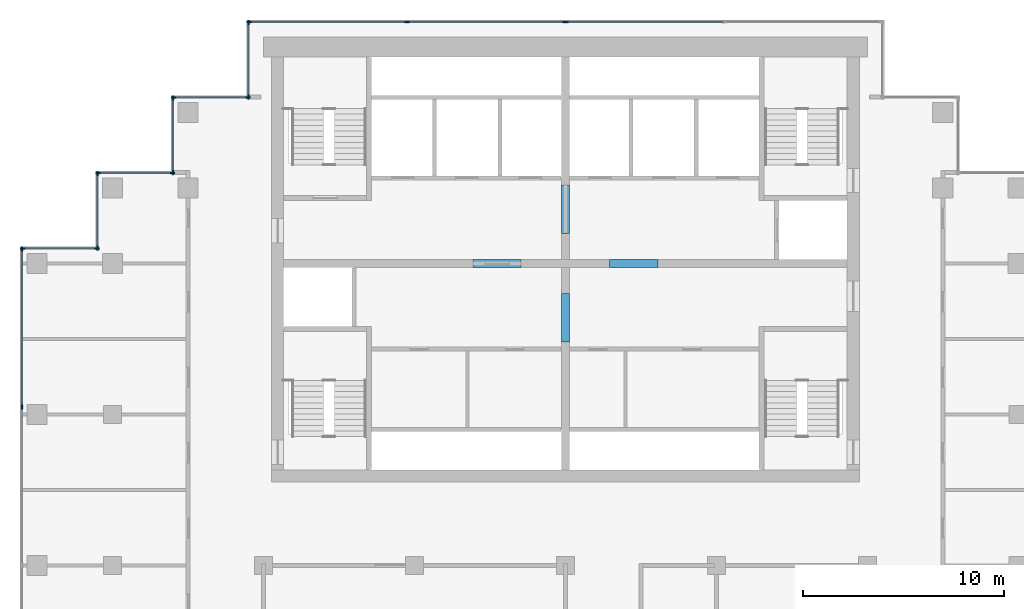
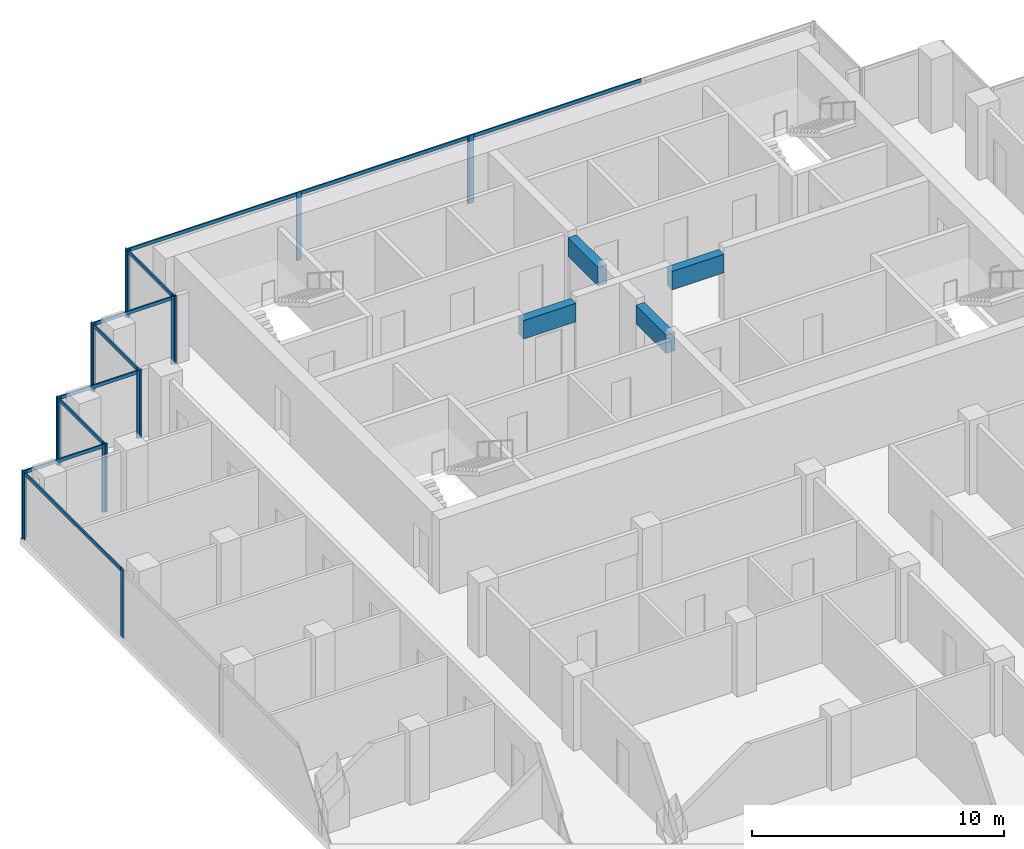
# One storey, part 5 of 12: 28 members, 4 beams, 9 elements without a shape of their own.
"""IFC4 building model written with IfcOpenShell, lengths in metres."""

from ifc_helpers import new_model, si_unit, direction, frame, origin, origin_2d, place, context, subcontext, project, spatial, rectangle, extrude, material, material_profile, profile_set, type_object, element, aggregate, save


model = new_model("IFC4")

# Units and contexts
model_context = context("Model", 3, precision=1e-05, world=origin(), true_north=direction((0.0, 1.0)))
body_context = subcontext(model_context, "Body", "Model", "MODEL_VIEW")
ifc_project = project(units=[si_unit("LENGTHUNIT", "METRE"), si_unit("AREAUNIT", "SQUARE_METRE"), si_unit("VOLUMEUNIT", "CUBIC_METRE"), si_unit("PLANEANGLEUNIT", "RADIAN"), si_unit("MASSUNIT", "GRAM", prefix="KILO")], contexts=[model_context])

# Site, building, storey
site_placement = place(None, origin())
site = spatial("IfcSite", under=ifc_project, at=site_placement, CompositionType="ELEMENT")
building_placement = place(site_placement, origin())
building = spatial("IfcBuilding", under=site, at=building_placement, Name="Pilkhan Gate Tower", CompositionType="ELEMENT")
storey_placement = place(building_placement, frame((0.0, 0.0, 188.699951171875)))
storey = spatial("IfcBuildingStorey", under=building, at=storey_placement, Name="L48", CompositionType="ELEMENT", Elevation=188.699951171875)

# Beams
ifc_material_1 = material(Name="Concrete C50/60", Category="concrete")
ifc_material_profile_1 = material_profile(ifc_material_1, rectangle(XDim=0.39990234375, YDim=0.89990234375, at=origin_2d()), Name="RC 400x900")
ifc_profile_set_1 = profile_set([ifc_material_profile_1], Name="Concrete C50/60")
beam_type = type_object("IfcBeamType", Name="Coupling beam CB90-4 RC 400x900 C50/60", PredefinedType="LINTEL", material=ifc_profile_set_1)
for number, where, z_axis, x_axis, name in (
    (1, (70.39990234375, 82.5, 2.85009765625), (1.0, 0.0, 0.0), (0.0, 1.0, 0.0), "Coupling beam 1 L48"),
    (2, (77.199951171875, 82.5, 2.85009765625), (1.0, 0.0, 0.0), (0.0, 1.0, 0.0), "Coupling beam 2 L48"),
):
    element("IfcBeam", number, at=place(storey_placement, frame(where, z_axis=z_axis, x_axis=x_axis)), inside=storey, type_object=beam_type, Name=name, PredefinedType="LINTEL", context=body_context, shape_type="SweptSolid", body=[
        extrude(rectangle(XDim=0.39990234375, YDim=0.89990234375, at=origin_2d()), origin(), (0.0, 0.0, 1.0), 2.400146484375),
    ])
for number, where, z_axis, x_axis, name in (
    (3, (75.0, 78.60009765625, 2.85009765625), (0.0, 1.0, 0.0), (-1.0, 0.0, 0.0), "Coupling beam 3 L48"),
    (4, (75.0, 84.0, 2.85009765625), (0.0, 1.0, 0.0), (-1.0, 0.0, 0.0), "Coupling beam 4 L48"),
):
    element("IfcBeam", number, at=place(storey_placement, frame(where, z_axis=z_axis, x_axis=x_axis)), inside=storey, type_object=beam_type, Name=name, PredefinedType="LINTEL", context=body_context, shape_type="SweptSolid", body=[
        extrude(rectangle(XDim=0.39990234375, YDim=0.89990234375, at=origin_2d()), origin(), (0.0, 0.0, 1.0), 2.39990234375),
    ])

# Curtain wall, members
ifc_material_2 = material(Name="Pale anodised aluminium, clear low-iron double glazing", Category="aluminium")
curtain_wall_type = type_object("IfcCurtainWallType", Name="Office unitised curtain wall CW-O2", PredefinedType="USERDEFINED", material=ifc_material_2)
curtain_wall_1_placement = place(storey_placement, origin())
curtain_wall_1 = element("IfcCurtainWall", 5, at=curtain_wall_1_placement, inside=storey, type_object=curtain_wall_type, Name="Office unitised curtain wall CW-O2 L48 N", ObjectType="UNITISED CURTAIN WALL", PredefinedType="USERDEFINED")
ifc_material_3 = material(Name="Pale anodised aluminium", Category="aluminium")
ifc_material_profile_2 = material_profile(ifc_material_3, rectangle(XDim=0.06494140625, YDim=0.22509765625, at=origin_2d()), Name="Mullion 225x65")
ifc_profile_set_2 = profile_set([ifc_material_profile_2], Name="Pale anodised aluminium")
member_type_1 = type_object("IfcMemberType", Name="Mullion CW-O2 225x65", PredefinedType="MULLION", material=ifc_profile_set_2)
member_1_placement = place(storey_placement, frame((59.282470703125, 94.5, 0.0), z_axis=(0.0, 0.0, 1.0), x_axis=(0.0, 1.0, 0.0)))
member_1 = element("IfcMember", 6, at=member_1_placement, type_object=member_type_1, Name="CW-O2 mullion 1", PredefinedType="MULLION", context=body_context, shape_type="SweptSolid", body=[
    extrude(rectangle(XDim=0.06494140625, YDim=0.22509765625, at=origin_2d()), origin(), (0.0, 0.0, 1.0), 3.300048828125),
])
member_2_placement = place(storey_placement, frame((67.125, 94.5, 0.0), z_axis=(0.0, 0.0, 1.0), x_axis=(0.0, 1.0, 0.0)))
member_2 = element("IfcMember", 7, at=member_2_placement, type_object=member_type_1, Name="CW-O2 mullion 2", PredefinedType="MULLION", context=body_context, shape_type="SweptSolid", body=[
    extrude(rectangle(XDim=0.06494140625, YDim=0.22509765625, at=origin_2d()), origin(), (0.0, 0.0, 1.0), 3.300048828125),
])
member_3_placement = place(storey_placement, frame((74.967529296875, 94.5, 0.0), z_axis=(0.0, 0.0, 1.0), x_axis=(0.0, 1.0, 0.0)))
member_3 = element("IfcMember", 8, at=member_3_placement, type_object=member_type_1, Name="CW-O2 mullion 3", PredefinedType="MULLION", context=body_context, shape_type="SweptSolid", body=[
    extrude(rectangle(XDim=0.06494140625, YDim=0.22509765625, at=origin_2d()), origin(), (0.0, 0.0, 1.0), 3.300048828125),
])

# Curtain wall, member
curtain_wall_2_placement = place(storey_placement, origin())
curtain_wall_2 = element("IfcCurtainWall", 9, at=curtain_wall_2_placement, inside=storey, type_object=curtain_wall_type, Name="Office unitised curtain wall CW-O2 L48 N", ObjectType="UNITISED CURTAIN WALL", PredefinedType="USERDEFINED")
member_4_placement = place(storey_placement, frame((75.032470703125, 94.5, 0.0), z_axis=(0.0, 0.0, 1.0), x_axis=(0.0, 1.0, 0.0)))
member_4 = element("IfcMember", 10, at=member_4_placement, type_object=member_type_1, Name="CW-O2 mullion 1", PredefinedType="MULLION", context=body_context, shape_type="SweptSolid", body=[
    extrude(rectangle(XDim=0.06494140625, YDim=0.22509765625, at=origin_2d()), origin(), (0.0, 0.0, 1.0), 3.300048828125),
])

# Curtain wall, members
curtain_wall_3_placement = place(storey_placement, origin())
curtain_wall_3 = element("IfcCurtainWall", 11, at=curtain_wall_3_placement, inside=storey, type_object=curtain_wall_type, Name="Office unitised curtain wall CW-O2 L48 W", ObjectType="UNITISED CURTAIN WALL", PredefinedType="USERDEFINED")
member_5_placement = place(storey_placement, frame((59.25, 90.782470703125, 0.0), z_axis=(0.0, 0.0, 1.0), x_axis=(-1.0, 0.0, 0.0)))
member_5 = element("IfcMember", 12, at=member_5_placement, type_object=member_type_1, Name="CW-O2 mullion 1", PredefinedType="MULLION", context=body_context, shape_type="SweptSolid", body=[
    extrude(rectangle(XDim=0.06494140625, YDim=0.22509765625, at=origin_2d()), origin(), (0.0, 0.0, 1.0), 3.300048828125),
])
member_6_placement = place(storey_placement, frame((59.25, 94.467529296875, 0.0), z_axis=(0.0, 0.0, 1.0), x_axis=(-1.0, 0.0, 0.0)))
member_6 = element("IfcMember", 13, at=member_6_placement, type_object=member_type_1, Name="CW-O2 mullion 2", PredefinedType="MULLION", context=body_context, shape_type="SweptSolid", body=[
    extrude(rectangle(XDim=0.06494140625, YDim=0.22509765625, at=origin_2d()), origin(), (0.0, 0.0, 1.0), 3.300048828125),
])

curtain_wall_4_placement = place(storey_placement, origin())
curtain_wall_4 = element("IfcCurtainWall", 14, at=curtain_wall_4_placement, inside=storey, type_object=curtain_wall_type, Name="Office unitised curtain wall CW-O2 L48 N", ObjectType="UNITISED CURTAIN WALL", PredefinedType="USERDEFINED")
member_7_placement = place(storey_placement, frame((55.532470703125, 90.75, 0.0), z_axis=(0.0, 0.0, 1.0), x_axis=(0.0, 1.0, 0.0)))
member_7 = element("IfcMember", 15, at=member_7_placement, type_object=member_type_1, Name="CW-O2 mullion 1", PredefinedType="MULLION", context=body_context, shape_type="SweptSolid", body=[
    extrude(rectangle(XDim=0.06494140625, YDim=0.22509765625, at=origin_2d()), origin(), (0.0, 0.0, 1.0), 3.300048828125),
])
member_8_placement = place(storey_placement, frame((59.217529296875, 90.75, 0.0), z_axis=(0.0, 0.0, 1.0), x_axis=(0.0, 1.0, 0.0)))
member_8 = element("IfcMember", 16, at=member_8_placement, type_object=member_type_1, Name="CW-O2 mullion 2", PredefinedType="MULLION", context=body_context, shape_type="SweptSolid", body=[
    extrude(rectangle(XDim=0.06494140625, YDim=0.22509765625, at=origin_2d()), origin(), (0.0, 0.0, 1.0), 3.300048828125),
])

curtain_wall_5_placement = place(storey_placement, origin())
curtain_wall_5 = element("IfcCurtainWall", 17, at=curtain_wall_5_placement, inside=storey, type_object=curtain_wall_type, Name="Office unitised curtain wall CW-O2 L48 W", ObjectType="UNITISED CURTAIN WALL", PredefinedType="USERDEFINED")
member_9_placement = place(storey_placement, frame((55.5, 87.032470703125, 0.0), z_axis=(0.0, 0.0, 1.0), x_axis=(-1.0, 0.0, 0.0)))
member_9 = element("IfcMember", 18, at=member_9_placement, type_object=member_type_1, Name="CW-O2 mullion 1", PredefinedType="MULLION", context=body_context, shape_type="SweptSolid", body=[
    extrude(rectangle(XDim=0.06494140625, YDim=0.22509765625, at=origin_2d()), origin(), (0.0, 0.0, 1.0), 3.300048828125),
])
member_10_placement = place(storey_placement, frame((55.5, 90.717529296875, 0.0), z_axis=(0.0, 0.0, 1.0), x_axis=(-1.0, 0.0, 0.0)))
member_10 = element("IfcMember", 19, at=member_10_placement, type_object=member_type_1, Name="CW-O2 mullion 2", PredefinedType="MULLION", context=body_context, shape_type="SweptSolid", body=[
    extrude(rectangle(XDim=0.06494140625, YDim=0.22509765625, at=origin_2d()), origin(), (0.0, 0.0, 1.0), 3.300048828125),
])

curtain_wall_6_placement = place(storey_placement, origin())
curtain_wall_6 = element("IfcCurtainWall", 20, at=curtain_wall_6_placement, inside=storey, type_object=curtain_wall_type, Name="Office unitised curtain wall CW-O2 L48 N", ObjectType="UNITISED CURTAIN WALL", PredefinedType="USERDEFINED")
member_11_placement = place(storey_placement, frame((51.782470703125, 87.0, 0.0), z_axis=(0.0, 0.0, 1.0), x_axis=(0.0, 1.0, 0.0)))
member_11 = element("IfcMember", 21, at=member_11_placement, type_object=member_type_1, Name="CW-O2 mullion 1", PredefinedType="MULLION", context=body_context, shape_type="SweptSolid", body=[
    extrude(rectangle(XDim=0.06494140625, YDim=0.22509765625, at=origin_2d()), origin(), (0.0, 0.0, 1.0), 3.300048828125),
])
member_12_placement = place(storey_placement, frame((55.467529296875, 87.0, 0.0), z_axis=(0.0, 0.0, 1.0), x_axis=(0.0, 1.0, 0.0)))
member_12 = element("IfcMember", 22, at=member_12_placement, type_object=member_type_1, Name="CW-O2 mullion 2", PredefinedType="MULLION", context=body_context, shape_type="SweptSolid", body=[
    extrude(rectangle(XDim=0.06494140625, YDim=0.22509765625, at=origin_2d()), origin(), (0.0, 0.0, 1.0), 3.300048828125),
])

curtain_wall_7_placement = place(storey_placement, origin())
curtain_wall_7 = element("IfcCurtainWall", 23, at=curtain_wall_7_placement, inside=storey, type_object=curtain_wall_type, Name="Office unitised curtain wall CW-O2 L48 W", ObjectType="UNITISED CURTAIN WALL", PredefinedType="USERDEFINED")
member_13_placement = place(storey_placement, frame((51.75, 83.282470703125, 0.0), z_axis=(0.0, 0.0, 1.0), x_axis=(-1.0, 0.0, 0.0)))
member_13 = element("IfcMember", 24, at=member_13_placement, type_object=member_type_1, Name="CW-O2 mullion 1", PredefinedType="MULLION", context=body_context, shape_type="SweptSolid", body=[
    extrude(rectangle(XDim=0.06494140625, YDim=0.22509765625, at=origin_2d()), origin(), (0.0, 0.0, 1.0), 3.300048828125),
])
member_14_placement = place(storey_placement, frame((51.75, 86.967529296875, 0.0), z_axis=(0.0, 0.0, 1.0), x_axis=(-1.0, 0.0, 0.0)))
member_14 = element("IfcMember", 25, at=member_14_placement, type_object=member_type_1, Name="CW-O2 mullion 2", PredefinedType="MULLION", context=body_context, shape_type="SweptSolid", body=[
    extrude(rectangle(XDim=0.06494140625, YDim=0.22509765625, at=origin_2d()), origin(), (0.0, 0.0, 1.0), 3.300048828125),
])

curtain_wall_8_placement = place(storey_placement, origin())
curtain_wall_8 = element("IfcCurtainWall", 26, at=curtain_wall_8_placement, inside=storey, type_object=curtain_wall_type, Name="Office unitised curtain wall CW-O2 L48 N", ObjectType="UNITISED CURTAIN WALL", PredefinedType="USERDEFINED")
member_15_placement = place(storey_placement, frame((48.032470703125, 83.25, 0.0), z_axis=(0.0, 0.0, 1.0), x_axis=(0.0, 1.0, 0.0)))
member_15 = element("IfcMember", 27, at=member_15_placement, type_object=member_type_1, Name="CW-O2 mullion 1", PredefinedType="MULLION", context=body_context, shape_type="SweptSolid", body=[
    extrude(rectangle(XDim=0.06494140625, YDim=0.22509765625, at=origin_2d()), origin(), (0.0, 0.0, 1.0), 3.300048828125),
])
member_16_placement = place(storey_placement, frame((51.717529296875, 83.25, 0.0), z_axis=(0.0, 0.0, 1.0), x_axis=(0.0, 1.0, 0.0)))
member_16 = element("IfcMember", 28, at=member_16_placement, type_object=member_type_1, Name="CW-O2 mullion 2", PredefinedType="MULLION", context=body_context, shape_type="SweptSolid", body=[
    extrude(rectangle(XDim=0.06494140625, YDim=0.22509765625, at=origin_2d()), origin(), (0.0, 0.0, 1.0), 3.300048828125),
])

curtain_wall_9_placement = place(storey_placement, origin())
curtain_wall_9 = element("IfcCurtainWall", 29, at=curtain_wall_9_placement, inside=storey, type_object=curtain_wall_type, Name="Office unitised curtain wall CW-O2 L48 W", ObjectType="UNITISED CURTAIN WALL", PredefinedType="USERDEFINED")
member_17_placement = place(storey_placement, frame((48.0, 75.375, 0.0), z_axis=(0.0, 0.0, 1.0), x_axis=(-1.0, 0.0, 0.0)))
member_17 = element("IfcMember", 30, at=member_17_placement, type_object=member_type_1, Name="CW-O2 mullion 2", PredefinedType="MULLION", context=body_context, shape_type="SweptSolid", body=[
    extrude(rectangle(XDim=0.06494140625, YDim=0.22509765625, at=origin_2d()), origin(), (0.0, 0.0, 1.0), 3.300048828125),
])
member_18_placement = place(storey_placement, frame((48.0, 83.217529296875, 0.0), z_axis=(0.0, 0.0, 1.0), x_axis=(-1.0, 0.0, 0.0)))
member_18 = element("IfcMember", 31, at=member_18_placement, type_object=member_type_1, Name="CW-O2 mullion 3", PredefinedType="MULLION", context=body_context, shape_type="SweptSolid", body=[
    extrude(rectangle(XDim=0.06494140625, YDim=0.22509765625, at=origin_2d()), origin(), (0.0, 0.0, 1.0), 3.300048828125),
])

# Member
ifc_material_profile_3 = material_profile(ifc_material_3, rectangle(XDim=0.06494140625, YDim=0.1650390625, at=origin_2d()), Name="Transom 165x65")
ifc_profile_set_3 = profile_set([ifc_material_profile_3], Name="Pale anodised aluminium")
member_type_2 = type_object("IfcMemberType", Name="Transom CW-O2 165x65", PredefinedType="USERDEFINED", material=ifc_profile_set_3)
member_19_placement = place(storey_placement, frame((59.31494140625, 94.5, 3.217529296875), z_axis=(1.0, 0.0, 0.0), x_axis=(0.0, 1.0, 0.0)))
member_19 = element("IfcMember", 32, at=member_19_placement, type_object=member_type_2, Name="CW-O2 transom 1", ObjectType="TRANSOM", PredefinedType="USERDEFINED", context=body_context, shape_type="SweptSolid", body=[
    extrude(rectangle(XDim=0.06494140625, YDim=0.1650390625, at=origin_2d()), origin(), (0.0, 0.0, 1.0), 7.777587890625),
])

member_20_placement = place(storey_placement, frame((67.157470703125, 94.5, 3.217529296875), z_axis=(1.0, 0.0, 0.0), x_axis=(0.0, 1.0, 0.0)))
member_20 = element("IfcMember", 33, at=member_20_placement, type_object=member_type_2, Name="CW-O2 transom 2", ObjectType="TRANSOM", PredefinedType="USERDEFINED", context=body_context, shape_type="SweptSolid", body=[
    extrude(rectangle(XDim=0.06494140625, YDim=0.1650390625, at=origin_2d()), origin(), (0.0, 0.0, 1.0), 7.777587890625),
])

aggregate(curtain_wall_1, [member_1, member_2, member_3, member_19, member_20])

member_21_placement = place(storey_placement, frame((75.06494140625, 94.5, 3.217529296875), z_axis=(1.0, 0.0, 0.0), x_axis=(0.0, 1.0, 0.0)))
member_21 = element("IfcMember", 34, at=member_21_placement, type_object=member_type_2, Name="CW-O2 transom 1", ObjectType="TRANSOM", PredefinedType="USERDEFINED", context=body_context, shape_type="SweptSolid", body=[
    extrude(rectangle(XDim=0.06494140625, YDim=0.1650390625, at=origin_2d()), origin(), (0.0, 0.0, 1.0), 7.777587890625),
])

aggregate(curtain_wall_2, [member_4, member_21])

member_22_placement = place(storey_placement, frame((59.25, 90.81494140625, 3.217529296875), z_axis=(0.0, 1.0, 0.0), x_axis=(-1.0, 0.0, 0.0)))
member_22 = element("IfcMember", 35, at=member_22_placement, type_object=member_type_2, Name="CW-O2 transom 1", ObjectType="TRANSOM", PredefinedType="USERDEFINED", context=body_context, shape_type="SweptSolid", body=[
    extrude(rectangle(XDim=0.06494140625, YDim=0.1650390625, at=origin_2d()), origin(), (0.0, 0.0, 1.0), 3.6201171875),
])

aggregate(curtain_wall_3, [member_5, member_6, member_22])

member_23_placement = place(storey_placement, frame((55.56494140625, 90.75, 3.217529296875), z_axis=(1.0, 0.0, 0.0), x_axis=(0.0, 1.0, 0.0)))
member_23 = element("IfcMember", 36, at=member_23_placement, type_object=member_type_2, Name="CW-O2 transom 1", ObjectType="TRANSOM", PredefinedType="USERDEFINED", context=body_context, shape_type="SweptSolid", body=[
    extrude(rectangle(XDim=0.06494140625, YDim=0.1650390625, at=origin_2d()), origin(), (0.0, 0.0, 1.0), 3.6201171875),
])

aggregate(curtain_wall_4, [member_7, member_8, member_23])

member_24_placement = place(storey_placement, frame((55.5, 87.06494140625, 3.217529296875), z_axis=(0.0, 1.0, 0.0), x_axis=(-1.0, 0.0, 0.0)))
member_24 = element("IfcMember", 37, at=member_24_placement, type_object=member_type_2, Name="CW-O2 transom 1", ObjectType="TRANSOM", PredefinedType="USERDEFINED", context=body_context, shape_type="SweptSolid", body=[
    extrude(rectangle(XDim=0.06494140625, YDim=0.1650390625, at=origin_2d()), origin(), (0.0, 0.0, 1.0), 3.6201171875),
])

aggregate(curtain_wall_5, [member_9, member_10, member_24])

member_25_placement = place(storey_placement, frame((51.81494140625, 87.0, 3.217529296875), z_axis=(1.0, 0.0, 0.0), x_axis=(0.0, 1.0, 0.0)))
member_25 = element("IfcMember", 38, at=member_25_placement, type_object=member_type_2, Name="CW-O2 transom 1", ObjectType="TRANSOM", PredefinedType="USERDEFINED", context=body_context, shape_type="SweptSolid", body=[
    extrude(rectangle(XDim=0.06494140625, YDim=0.1650390625, at=origin_2d()), origin(), (0.0, 0.0, 1.0), 3.6201171875),
])

aggregate(curtain_wall_6, [member_11, member_12, member_25])

member_26_placement = place(storey_placement, frame((51.75, 83.31494140625, 3.217529296875), z_axis=(0.0, 1.0, 0.0), x_axis=(-1.0, 0.0, 0.0)))
member_26 = element("IfcMember", 39, at=member_26_placement, type_object=member_type_2, Name="CW-O2 transom 1", ObjectType="TRANSOM", PredefinedType="USERDEFINED", context=body_context, shape_type="SweptSolid", body=[
    extrude(rectangle(XDim=0.06494140625, YDim=0.1650390625, at=origin_2d()), origin(), (0.0, 0.0, 1.0), 3.6201171875),
])

aggregate(curtain_wall_7, [member_13, member_14, member_26])

member_27_placement = place(storey_placement, frame((48.06494140625, 83.25, 3.217529296875), z_axis=(1.0, 0.0, 0.0), x_axis=(0.0, 1.0, 0.0)))
member_27 = element("IfcMember", 40, at=member_27_placement, type_object=member_type_2, Name="CW-O2 transom 1", ObjectType="TRANSOM", PredefinedType="USERDEFINED", context=body_context, shape_type="SweptSolid", body=[
    extrude(rectangle(XDim=0.06494140625, YDim=0.1650390625, at=origin_2d()), origin(), (0.0, 0.0, 1.0), 3.6201171875),
])

aggregate(curtain_wall_8, [member_15, member_16, member_27])

member_28_placement = place(storey_placement, frame((48.0, 75.407470703125, 3.217529296875), z_axis=(0.0, 1.0, 0.0), x_axis=(-1.0, 0.0, 0.0)))
member_28 = element("IfcMember", 41, at=member_28_placement, type_object=member_type_2, Name="CW-O2 transom 2", ObjectType="TRANSOM", PredefinedType="USERDEFINED", context=body_context, shape_type="SweptSolid", body=[
    extrude(rectangle(XDim=0.06494140625, YDim=0.1650390625, at=origin_2d()), origin(), (0.0, 0.0, 1.0), 7.777587890625),
])

aggregate(curtain_wall_9, [member_17, member_18, member_28])

save(model, "model.ifc")
